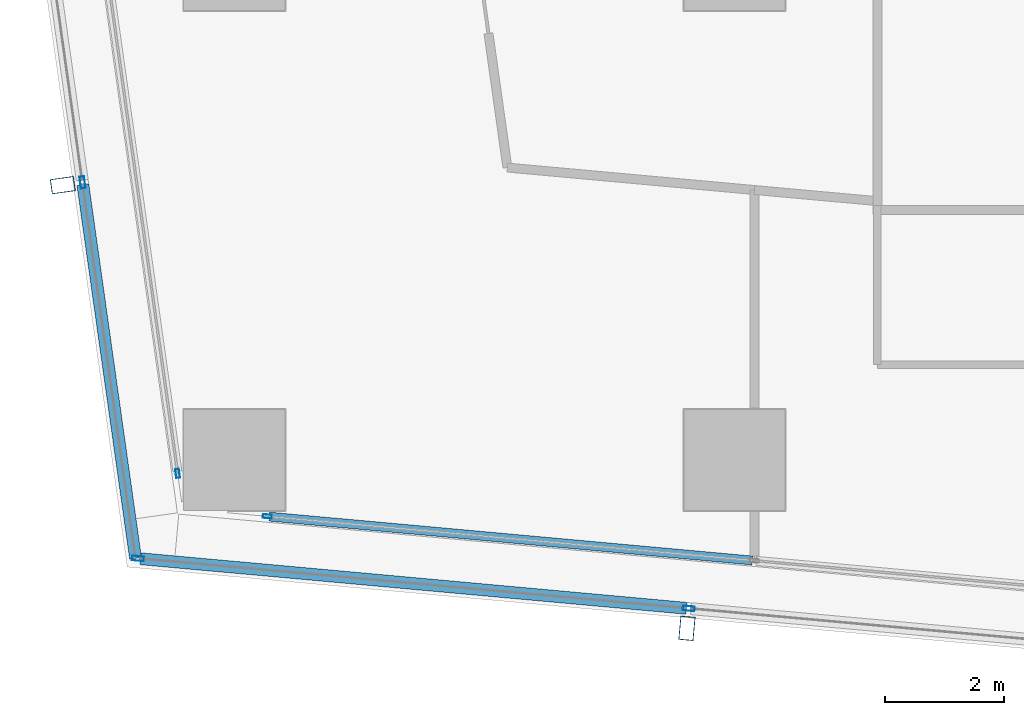
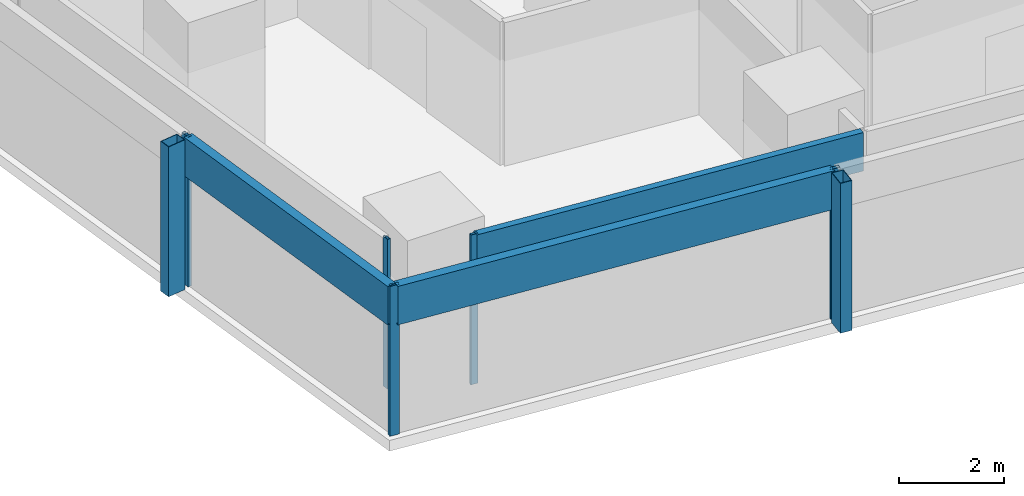
# One storey, part 2 of 40: 10 members, 4 elements without a shape of their own.
"""IFC4 building model written with IfcOpenShell, lengths in metres."""

from ifc_helpers import new_model, si_unit, direction, frame, origin, origin_2d, place, context, subcontext, project, spatial, hollow_rectangle, extrude, material, material_profile, profile_set, type_object, element, aggregate, save


model = new_model("IFC4")

# Units and contexts
model_context = context("Model", 3, precision=1e-05, world=origin(), true_north=direction((0.0, 1.0)))
body_context = subcontext(model_context, "Body", "Model", "MODEL_VIEW")
ifc_project = project(units=[si_unit("LENGTHUNIT", "METRE"), si_unit("AREAUNIT", "SQUARE_METRE"), si_unit("VOLUMEUNIT", "CUBIC_METRE"), si_unit("PLANEANGLEUNIT", "RADIAN"), si_unit("MASSUNIT", "GRAM", prefix="KILO")], contexts=[model_context])

# Site, building, storey
site_placement = place(None, origin())
site = spatial("IfcSite", under=ifc_project, at=site_placement, CompositionType="ELEMENT")
building_placement = place(site_placement, origin())
building = spatial("IfcBuilding", under=site, at=building_placement, Name="Rekha Terrace Tower", CompositionType="ELEMENT")
storey_placement = place(building_placement, frame((0.0, 0.0, 99.050048828125)))
storey = spatial("IfcBuildingStorey", under=building, at=storey_placement, Name="L24", CompositionType="ELEMENT", Elevation=99.050048828125)

# Curtain wall, member
ifc_material_1 = material(Name="Aluminium framing", Category="aluminium")
curtain_wall_type_1 = type_object("IfcCurtainWallType", Name="CW2 double skin outer glazing", PredefinedType="USERDEFINED", material=ifc_material_1)
curtain_wall_1_placement = place(storey_placement, origin())
curtain_wall_1 = element("IfcCurtainWall", 1, at=curtain_wall_1_placement, inside=storey, type_object=curtain_wall_type_1, Name="CW2 double skin outer glazing", ObjectType="DOUBLE SKIN OUTER GLAZING", PredefinedType="USERDEFINED")
ifc_material_2 = material(Name="Steel S355 with fluorocarbon finish", Category="steel")
ifc_material_profile_1 = material_profile(ifc_material_2, hollow_rectangle(XDim=0.25, YDim=0.39990234375, WallThickness=0.012451171875, at=origin_2d()), Name="RHS400x250x12.5")
ifc_profile_set_1 = profile_set([ifc_material_profile_1], Name="Steel S355 with fluorocarbon finish")
member_type_1 = type_object("IfcMemberType", Name="BL1 facade blade RHS 400 x 250", PredefinedType="USERDEFINED", material=ifc_profile_set_1)
member_1_placement = place(storey_placement, frame((16.002197265625, 13.970458984375, 0.0), z_axis=(0.0, 0.0, 1.0), x_axis=(0.995901938317, -0.090439644273, 0.0)))
member_1 = element("IfcMember", 2, at=member_1_placement, type_object=member_type_1, Name="Facade blade", ObjectType="FACADE BLADE", PredefinedType="USERDEFINED", context=body_context, shape_type="SweptSolid", body=[
    extrude(hollow_rectangle(XDim=0.25, YDim=0.39990234375, WallThickness=0.012451171875, at=origin_2d()), origin(), (0.0, 0.0, 1.0), 3.5),
])

curtain_wall_2_placement = place(storey_placement, origin())
curtain_wall_2 = element("IfcCurtainWall", 3, at=curtain_wall_2_placement, inside=storey, type_object=curtain_wall_type_1, Name="CW2 double skin outer glazing", ObjectType="DOUBLE SKIN OUTER GLAZING", PredefinedType="USERDEFINED")
member_2_placement = place(storey_placement, frame((5.51904296875, 21.41455078125, 0.0), z_axis=(0.0, 0.0, 1.0), x_axis=(0.139596532461, -0.990208467003, 0.0)))
member_2 = element("IfcMember", 4, at=member_2_placement, type_object=member_type_1, Name="Facade blade", ObjectType="FACADE BLADE", PredefinedType="USERDEFINED", context=body_context, shape_type="SweptSolid", body=[
    extrude(hollow_rectangle(XDim=0.25, YDim=0.39990234375, WallThickness=0.012451171875, at=origin_2d()), origin(), (0.0, 0.0, 1.0), 3.5),
])

curtain_wall_type_2 = type_object("IfcCurtainWallType", Name="CW1 double skin inner glazing", PredefinedType="USERDEFINED", material=ifc_material_1)
curtain_wall_3_placement = place(storey_placement, origin())
curtain_wall_3 = element("IfcCurtainWall", 5, at=curtain_wall_3_placement, inside=storey, type_object=curtain_wall_type_2, Name="CW1 double skin inner glazing", ObjectType="DOUBLE SKIN INNER GLAZING", PredefinedType="USERDEFINED")
ifc_material_3 = material(Name="Aluminium mullion section", Category="aluminium")
ifc_material_profile_2 = material_profile(ifc_material_3, hollow_rectangle(XDim=0.06494140625, YDim=0.14990234375, WallThickness=0.00390625, at=origin_2d()), Name="AL RHS 65x150")
ifc_profile_set_2 = profile_set([ifc_material_profile_2], Name="Aluminium mullion section")
member_type_2 = type_object("IfcMemberType", Name="CW1 mullion RHS 65 x 150", PredefinedType="MULLION", material=ifc_profile_set_2)
member_3_placement = place(storey_placement, frame((8.953369140625, 15.8505859375, 0.0), z_axis=(0.0, 0.0, 1.0), x_axis=(0.090439811381, 0.995901923142, 0.0)))
member_3 = element("IfcMember", 6, at=member_3_placement, type_object=member_type_2, Name="CW1 mullion 1", PredefinedType="MULLION", context=body_context, shape_type="SweptSolid", body=[
    extrude(hollow_rectangle(XDim=0.06494140625, YDim=0.14990234375, WallThickness=0.00390625, at=origin_2d()), origin(), (0.0, 0.0, 1.0), 3.5),
])

curtain_wall_4_placement = place(storey_placement, origin())
curtain_wall_4 = element("IfcCurtainWall", 7, at=curtain_wall_4_placement, inside=storey, type_object=curtain_wall_type_2, Name="CW1 double skin inner glazing", ObjectType="DOUBLE SKIN INNER GLAZING", PredefinedType="USERDEFINED")
member_4_placement = place(storey_placement, frame((7.448486328125, 16.573974609375, 0.0), z_axis=(0.0, 0.0, 1.0), x_axis=(0.990208394312, 0.139597048082, 0.0)))
member_4 = element("IfcMember", 8, at=member_4_placement, type_object=member_type_2, Name="CW1 mullion 2", PredefinedType="MULLION", context=body_context, shape_type="SweptSolid", body=[
    extrude(hollow_rectangle(XDim=0.06494140625, YDim=0.14990234375, WallThickness=0.00390625, at=origin_2d()), origin(), (0.0, 0.0, 1.0), 3.5),
])
aggregate(curtain_wall_4, [member_4])

# Member
ifc_material_4 = material(Name="Insulated aluminium spandrel box", Category="aluminium")
ifc_material_profile_3 = material_profile(ifc_material_4, hollow_rectangle(XDim=0.14990234375, YDim=0.89990234375, WallThickness=0.0029296875, at=origin_2d()), Name="AL SPANDREL BOX 150x900")
ifc_profile_set_3 = profile_set([ifc_material_profile_3], Name="Insulated aluminium spandrel box")
member_type_3 = type_object("IfcMemberType", Name="CW1 spandrel transom 150 x 900", PredefinedType="USERDEFINED", material=ifc_profile_set_3)
member_5_placement = place(storey_placement, frame((8.98583984375, 15.84765625, 3.050048828125), z_axis=(0.995901551249, -0.090443906483, 0.0), x_axis=(0.090443906483, 0.995901551249, 0.0)))
member_5 = element("IfcMember", 9, at=member_5_placement, type_object=member_type_3, Name="CW1 spandrel transom 1", ObjectType="TRANSOM", PredefinedType="USERDEFINED", context=body_context, shape_type="SweptSolid", body=[
    extrude(hollow_rectangle(XDim=0.14990234375, YDim=0.89990234375, WallThickness=0.0029296875, at=origin_2d()), origin(), (0.0, 0.0, 1.0), 8.1494140625),
])

aggregate(curtain_wall_3, [member_3, member_5])

ifc_material_profile_4 = material_profile(ifc_material_3, hollow_rectangle(XDim=0.080078125, YDim=0.199951171875, WallThickness=0.00390625, at=origin_2d()), Name="AL RHS 80x200")
ifc_profile_set_4 = profile_set([ifc_material_profile_4], Name="Aluminium mullion section")
member_type_4 = type_object("IfcMemberType", Name="CW2 mullion RHS 80 x 200", PredefinedType="MULLION", material=ifc_profile_set_4)
member_6_placement = place(storey_placement, frame((6.780517578125, 15.144287109375, 0.0), z_axis=(0.0, 0.0, 1.0), x_axis=(0.090439811433, 0.995901923137, 0.0)))
member_6 = element("IfcMember", 10, at=member_6_placement, type_object=member_type_4, Name="CW2 mullion 1", PredefinedType="MULLION", context=body_context, shape_type="SweptSolid", body=[
    extrude(hollow_rectangle(XDim=0.080078125, YDim=0.199951171875, WallThickness=0.00390625, at=origin_2d()), origin(), (0.0, 0.0, 1.0), 3.5),
])

member_7_placement = place(storey_placement, frame((16.032470703125, 14.30419921875, 0.0), z_axis=(0.0, 0.0, 1.0), x_axis=(0.090439811433, 0.995901923137, 0.0)))
member_7 = element("IfcMember", 11, at=member_7_placement, type_object=member_type_4, Name="CW2 mullion 2", PredefinedType="MULLION", context=body_context, shape_type="SweptSolid", body=[
    extrude(hollow_rectangle(XDim=0.080078125, YDim=0.199951171875, WallThickness=0.00390625, at=origin_2d()), origin(), (0.0, 0.0, 1.0), 3.5),
])

member_8_placement = place(storey_placement, frame((5.8505859375, 21.46142578125, 0.0), z_axis=(0.0, 0.0, 1.0), x_axis=(0.990208394312, 0.139597048082, 0.0)))
member_8 = element("IfcMember", 12, at=member_8_placement, type_object=member_type_4, Name="CW2 mullion 2", PredefinedType="MULLION", context=body_context, shape_type="SweptSolid", body=[
    extrude(hollow_rectangle(XDim=0.080078125, YDim=0.199951171875, WallThickness=0.00390625, at=origin_2d()), origin(), (0.0, 0.0, 1.0), 3.5),
])

ifc_material_profile_5 = material_profile(ifc_material_4, hollow_rectangle(XDim=0.199951171875, YDim=0.89990234375, WallThickness=0.0029296875, at=origin_2d()), Name="AL SPANDREL BOX 200x900")
ifc_profile_set_5 = profile_set([ifc_material_profile_5], Name="Insulated aluminium spandrel box")
member_type_5 = type_object("IfcMemberType", Name="CW2 spandrel transom 200 x 900", PredefinedType="USERDEFINED", material=ifc_profile_set_5)
member_9_placement = place(storey_placement, frame((6.8203125, 15.140625, 3.050048828125), z_axis=(0.995901458883, -0.090444923548, 0.0), x_axis=(0.090444923548, 0.995901458883, 0.0)))
member_9 = element("IfcMember", 13, at=member_9_placement, type_object=member_type_5, Name="CW2 spandrel transom 1", ObjectType="TRANSOM", PredefinedType="USERDEFINED", context=body_context, shape_type="SweptSolid", body=[
    extrude(hollow_rectangle(XDim=0.199951171875, YDim=0.89990234375, WallThickness=0.0029296875, at=origin_2d()), origin(), (0.0, 0.0, 1.0), 9.210205078125),
])

aggregate(curtain_wall_1, [member_6, member_7, member_9, member_1])

member_10_placement = place(storey_placement, frame((5.856201171875, 21.421875, 3.050048828125), z_axis=(0.139603155616, -0.990207533269, 0.0), x_axis=(0.990207533269, 0.139603155616, 0.0)))
member_10 = element("IfcMember", 14, at=member_10_placement, type_object=member_type_5, Name="CW2 spandrel transom 2", ObjectType="TRANSOM", PredefinedType="USERDEFINED", context=body_context, shape_type="SweptSolid", body=[
    extrude(hollow_rectangle(XDim=0.199951171875, YDim=0.89990234375, WallThickness=0.0029296875, at=origin_2d()), origin(), (0.0, 0.0, 1.0), 6.3359375),
])

aggregate(curtain_wall_2, [member_8, member_10, member_2])

save(model, "model.ifc")
